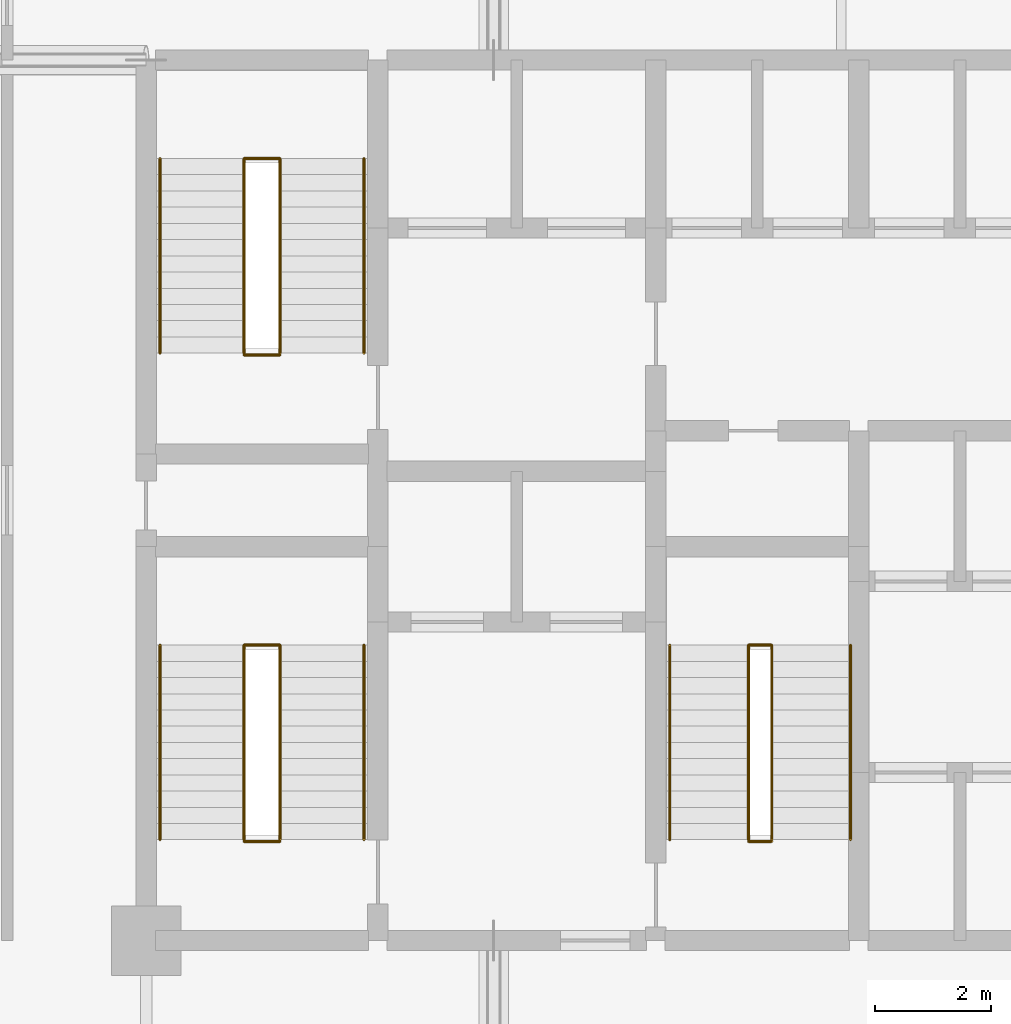
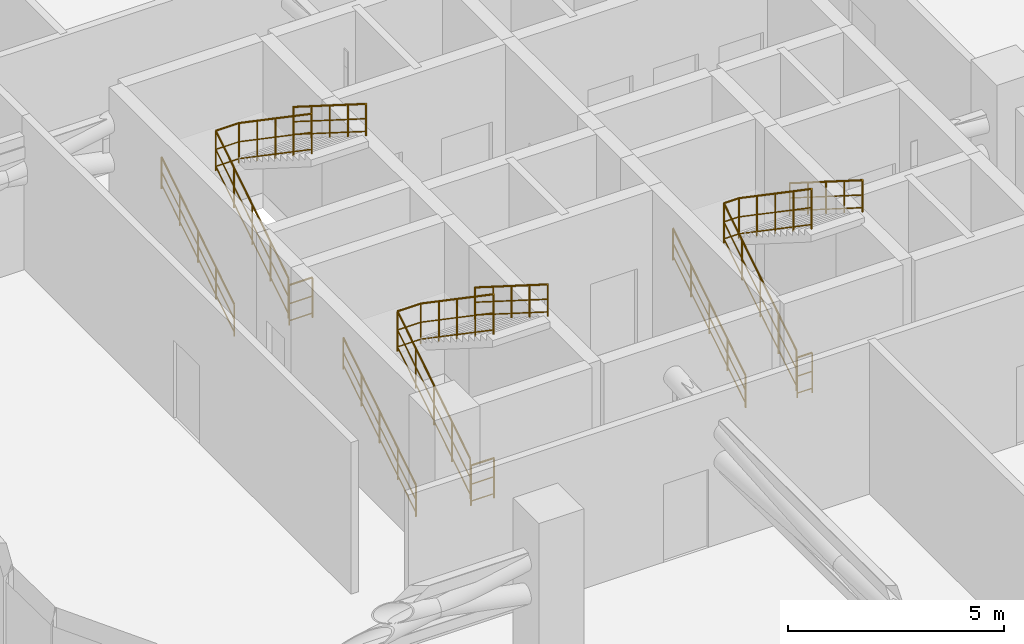
# One storey, part 9 of 9: 12 railings.
"""IFC4 building model written with IfcOpenShell, lengths in metres."""

import ifcopenshell
import ifcopenshell.guid

model = None  # the IFC model being written
_history = None  # IfcOwnerHistory: only IFC2X3 demands one
_inside = {}  # id of a spatial element -> (the spatial element, [elements in it])
_under = {}  # id of a project, library or spatial element -> (it, [spatial elements below it])
_declared = {}  # id of a project -> (the project, [libraries it declares])
_typed = {}  # id of a type object -> (the type object, [elements of that type])
_made_of = {}  # id of a material, layer set ... -> (it, [elements and type objects made of it])


def new_model(schema):
    """Start an empty IFC model of exactly this schema.

    Asked for "IFC4X3", IfcOpenShell would pick the latest addendum, in which some entities
    have other attributes; the version numbers below select the first issue.
    IFC2X3 requires an IfcOwnerHistory on every rooted entity: one is made here for all.
    """
    global model, _history
    if schema == "IFC4X3":
        model = ifcopenshell.file(schema_version=(4, 3, 0, 0))
    else:
        model = ifcopenshell.file(schema=schema)
    _inside.clear()
    _under.clear()
    _declared.clear()
    _typed.clear()
    _made_of.clear()
    _history = None
    if model.schema == "IFC2X3":
        org = make("IfcOrganization", Name="unknown")
        user = make(
            "IfcPersonAndOrganization",
            ThePerson=make("IfcPerson", FamilyName="unknown"),
            TheOrganization=org,
        )
        app = make(
            "IfcApplication",
            ApplicationDeveloper=org,
            Version="unknown",
            ApplicationFullName="unknown",
            ApplicationIdentifier="unknown",
        )
        _history = make(
            "IfcOwnerHistory",
            OwningUser=user,
            OwningApplication=app,
            ChangeAction="ADDED",
            CreationDate=0,
        )
    return model


def make(cls, **values):
    """One entity of the class cls with the attributes given. An attribute that is None is left unset."""
    return model.create_entity(
        cls, **{name: value for name, value in values.items() if value is not None}
    )


def rooted(cls, **values):
    """An entity with a GlobalId (a new one), such as an element, a storey or a relation."""
    return make(cls, GlobalId=ifcopenshell.guid.new(), OwnerHistory=_history, **values)


def si_unit(unit_type, name, prefix=None):
    """IfcSIUnit, for example si_unit("LENGTHUNIT", "METRE", prefix="MILLI")."""
    return make("IfcSIUnit", UnitType=unit_type, Prefix=prefix, Name=name)


def assignment(units):
    """IfcUnitAssignment: the units of a project."""
    return None if units is None else make("IfcUnitAssignment", Units=units)


def point(xyz):
    """IfcCartesianPoint."""
    return None if xyz is None else make("IfcCartesianPoint", Coordinates=xyz)


def direction(xyz):
    """IfcDirection."""
    return None if xyz is None else make("IfcDirection", DirectionRatios=xyz)


def frame(location, z_axis=None, x_axis=None):
    """IfcAxis2Placement3D, a coordinate frame: its origin and axes. An axis left out is left unset."""
    return make(
        "IfcAxis2Placement3D",
        Location=point(location),
        Axis=direction(z_axis),
        RefDirection=direction(x_axis),
    )


def frame_2d(location, x_axis=None):
    """IfcAxis2Placement2D, a coordinate frame in the plane: its origin and x axis."""
    return make(
        "IfcAxis2Placement2D", Location=point(location), RefDirection=direction(x_axis)
    )


def origin():
    """The frame at (0, 0, 0) with its axes left unset."""
    return frame((0.0, 0.0, 0.0))


def origin_2d():
    """The frame at (0, 0) in the plane with its x axis left unset."""
    return frame_2d((0.0, 0.0))


def place(relative_to, where):
    """IfcLocalPlacement: puts the frame where relative to a parent placement (None: the world)."""
    return make(
        "IfcLocalPlacement", PlacementRelTo=relative_to, RelativePlacement=where
    )


def context(
    kind, dimensions, precision=None, world=None, true_north=None, identifier=None
):
    """IfcGeometricRepresentationContext, for example the 3D "Model" context."""
    return make(
        "IfcGeometricRepresentationContext",
        ContextIdentifier=identifier,
        ContextType=kind,
        CoordinateSpaceDimension=dimensions,
        Precision=precision,
        WorldCoordinateSystem=world,
        TrueNorth=true_north,
    )


def subcontext(parent, identifier, kind, view, scale=None):
    """IfcGeometricRepresentationSubContext, for example "Body" below "Model"."""
    return make(
        "IfcGeometricRepresentationSubContext",
        ContextIdentifier=identifier,
        ContextType=kind,
        ParentContext=parent,
        TargetScale=scale,
        TargetView=view,
    )


def project(units=None, contexts=None):
    """IfcProject with its units and contexts."""
    return rooted(
        "IfcProject",
        Name="project",
        RepresentationContexts=contexts,
        UnitsInContext=assignment(units),
    )


def spatial(cls, under=None, at=None, **own):
    """A site, building, storey or space (cls), placed at a placement, below another one or the project."""
    s = rooted(cls, ObjectPlacement=at, **own)
    if under is not None:
        _under.setdefault(under.id(), (under, []))[1].append(s)
    return s


def profile(cls, at=None, kind="AREA", **sizes):
    """A parametric profile (cls). Its sizes go by their IFC names, for example OverallWidth=200.0."""
    return make(cls, ProfileType=kind, Position=at, **sizes)


def circle(**sizes):
    """IfcCircleProfileDef."""
    return profile("IfcCircleProfileDef", **sizes)


def extrude(swept, where, along, depth):
    """IfcExtrudedAreaSolid: the profile swept, set in the frame where, extruded along a direction by depth."""
    return make(
        "IfcExtrudedAreaSolid",
        SweptArea=swept,
        Position=where,
        ExtrudedDirection=direction(along),
        Depth=depth,
    )


def shape(context_of_items, identifier, shape_type, items):
    """IfcShapeRepresentation: the items that make up one representation, for example the "Body"."""
    return make(
        "IfcShapeRepresentation",
        ContextOfItems=context_of_items,
        RepresentationIdentifier=identifier,
        RepresentationType=shape_type,
        Items=items,
    )


def material(Name=None, Category=None):
    """IfcMaterial."""
    return make("IfcMaterial", Name=Name, Category=Category)


def layer(
    of_material, thickness, ventilated=None, Name=None, Category=None, Priority=None
):
    """IfcMaterialLayer: one layer of a wall or slab, of a material (None: an air gap)."""
    return make(
        "IfcMaterialLayer",
        Material=of_material,
        LayerThickness=thickness,
        IsVentilated=ventilated,
        Name=Name,
        Category=Category,
        Priority=Priority,
    )


def layer_set(layers, Name=None):
    """IfcMaterialLayerSet."""
    return make("IfcMaterialLayerSet", MaterialLayers=layers, LayerSetName=Name)


def made_of(thing, what):
    """Note that an element or type object is made of a material, layer set ...; save() writes the relation."""
    if what is not None:
        _made_of.setdefault(what.id(), (what, []))[1].append(thing)
    return thing


def type_object(cls, material=None, **own):
    """A type object (cls), such as IfcWallType, which elements share."""
    return made_of(rooted(cls, **own), material)


def element(
    cls,
    number,
    at=None,
    inside=None,
    cuts=None,
    type_object=None,
    material=None,
    context=None,
    identifier="Body",
    shape_type=None,
    held_by="IfcProductDefinitionShape",
    body=None,
    shapes=None,
    **own,
):
    """One element of the class cls, such as IfcWall. Its Tag is "e" and its number.

    at: its placement. inside: the storey or other place that contains it. cuts: it is an
    opening in that element (IfcRelVoidsElement). A single representation is given by context,
    identifier, shape_type and body (its items); several are given by shapes. held_by: the class
    of the entity that holds the representations. save() writes the other relations.
    """
    e = rooted(cls, Tag="e%d" % number, ObjectPlacement=at, **own)
    if body is not None:
        shapes = [shape(context, identifier, shape_type, body)]
    if shapes is not None:
        e.Representation = make(held_by, Representations=shapes)
    if inside is not None:
        _inside.setdefault(inside.id(), (inside, []))[1].append(e)
    if cuts is not None:
        rooted(
            "IfcRelVoidsElement", RelatingBuildingElement=cuts, RelatedOpeningElement=e
        )
    if type_object is not None:
        _typed.setdefault(type_object.id(), (type_object, []))[1].append(e)
    return made_of(e, material)


def aggregate(whole, parts):
    """IfcRelAggregates: a whole, such as a stair, and the parts it consists of."""
    return rooted("IfcRelAggregates", RelatingObject=whole, RelatedObjects=parts)


def save(model, path):
    """Write the relations noted so far, then the file.

    IfcRelAggregates (storeys below a building ...), IfcRelContainedInSpatialStructure (elements
    in a storey), IfcRelDefinesByType, IfcRelAssociatesMaterial and IfcRelDeclares: one each for
    every whole, place, type object, material and project.
    """
    for whole, parts in _under.values():
        aggregate(whole, parts)
    for where, things in _inside.values():
        rooted(
            "IfcRelContainedInSpatialStructure",
            RelatedElements=things,
            RelatingStructure=where,
        )
    for kind, things in _typed.values():
        rooted("IfcRelDefinesByType", RelatedObjects=things, RelatingType=kind)
    for what, things in _made_of.values():
        rooted("IfcRelAssociatesMaterial", RelatedObjects=things, RelatingMaterial=what)
    for by, libraries in _declared.values():
        rooted("IfcRelDeclares", RelatingContext=by, RelatedDefinitions=libraries)
    model.write(path)


model = new_model("IFC4")

# Units and contexts
model_context = context("Model", 3, precision=1e-05, world=origin(), true_north=direction((0.0, 1.0)))
body_context = subcontext(model_context, "Body", "Model", "MODEL_VIEW")
ifc_project = project(units=[si_unit("LENGTHUNIT", "METRE"), si_unit("AREAUNIT", "SQUARE_METRE"), si_unit("VOLUMEUNIT", "CUBIC_METRE"), si_unit("PLANEANGLEUNIT", "RADIAN"), si_unit("MASSUNIT", "GRAM", prefix="KILO")], contexts=[model_context])

# Site, building, storey
site_placement = place(None, origin())
site = spatial("IfcSite", under=ifc_project, at=site_placement, CompositionType="ELEMENT")
building_placement = place(site_placement, origin())
building = spatial("IfcBuilding", under=site, at=building_placement, Name="Keshet Zoharim Tower", CompositionType="ELEMENT")
storey_placement = place(building_placement, frame((0.0, 0.0, 61.0)))
storey = spatial("IfcBuildingStorey", under=building, at=storey_placement, Name="L14", CompositionType="ELEMENT", Elevation=61.0)

# Railings
ifc_material = material(Name="Steel S355", Category="steel")
ifc_layer_1 = layer(ifc_material, 0.050048828125)
ifc_layer_set_1 = layer_set([ifc_layer_1], Name="Steel S355")
railing_type_1 = type_object("IfcRailingType", Name="RL-HND-092", PredefinedType="HANDRAIL", material=ifc_layer_set_1)
railing_1_placement = place(storey_placement, frame((15.239990234375, 24.43994140625, 0.177001953125)))
element("IfcRailing", 1, at=railing_1_placement, inside=storey, type_object=railing_type_1, Name="L14 ST-01 Flight 1 Wall Handrail", PredefinedType="HANDRAIL", context=body_context, shape_type="SweptSolid", body=[
    extrude(circle(Radius=0.02392578125, at=origin_2d()), frame((0.0, 0.0, 0.89599609375), z_axis=(0.0, 0.845389635667, 0.534150132366), x_axis=(-1.0, 0.0, 0.0)), (0.0, 0.0, 1.0), 3.974609375),
    extrude(circle(Radius=0.01611328125, at=origin_2d()), frame((0.0, 0.0, 0.478271484375), z_axis=(0.0, 0.845389635667, 0.534150132366), x_axis=(-1.0, 0.0, 0.0)), (0.0, 0.0, 1.0), 3.974609375),
    extrude(circle(Radius=0.01611328125, at=origin_2d()), frame((0.0, 0.0, 0.1201171875), z_axis=(0.0, 0.845389635667, 0.534150132366), x_axis=(-1.0, 0.0, 0.0)), (0.0, 0.0, 1.0), 3.974609375),
    extrude(circle(Radius=0.02099609375, at=origin_2d()), origin(), (0.0, 0.0, 1.0), 0.871826171875),
    extrude(circle(Radius=0.02099609375, at=origin_2d()), frame((0.0, 0.840087890625, 0.53076171875)), (0.0, 0.0, 1.0), 0.871826171875),
    extrude(circle(Radius=0.02099609375, at=origin_2d()), frame((0.0, 1.68017578125, 1.0615234375)), (0.0, 0.0, 1.0), 0.871826171875),
    extrude(circle(Radius=0.02099609375, at=origin_2d()), frame((0.0, 2.52001953125, 1.59228515625)), (0.0, 0.0, 1.0), 0.871826171875),
    extrude(circle(Radius=0.02099609375, at=origin_2d()), frame((0.0, 3.360107421875, 2.123046875)), (0.0, 0.0, 1.0), 0.871826171875),
])
railing_2_placement = place(storey_placement, frame((18.760009765625, 27.800048828125, 2.476806640625)))
element("IfcRailing", 2, at=railing_2_placement, inside=storey, type_object=railing_type_1, Name="L14 ST-01 Flight 2 Wall Handrail", PredefinedType="HANDRAIL", context=body_context, shape_type="SweptSolid", body=[
    extrude(circle(Radius=0.02392578125, at=origin_2d()), frame((0.0, 0.0, 0.89599609375), z_axis=(0.0, -0.845361898145, 0.534194029511), x_axis=(1.0, 0.0, 0.0)), (0.0, 0.0, 1.0), 3.974853515625),
    extrude(circle(Radius=0.01611328125, at=origin_2d()), frame((0.0, 0.0, 0.478271484375), z_axis=(0.0, -0.845361898145, 0.534194029511), x_axis=(1.0, 0.0, 0.0)), (0.0, 0.0, 1.0), 3.974853515625),
    extrude(circle(Radius=0.01611328125, at=origin_2d()), frame((0.0, 0.0, 0.1201171875), z_axis=(0.0, -0.845361898145, 0.534194029511), x_axis=(1.0, 0.0, 0.0)), (0.0, 0.0, 1.0), 3.974853515625),
    extrude(circle(Radius=0.02099609375, at=origin_2d()), origin(), (0.0, 0.0, 1.0), 0.871826171875),
    extrude(circle(Radius=0.02099609375, at=origin_2d()), frame((0.0, -0.840087890625, 0.53076171875)), (0.0, 0.0, 1.0), 0.871826171875),
    extrude(circle(Radius=0.02099609375, at=origin_2d()), frame((0.0, -1.68017578125, 1.0615234375)), (0.0, 0.0, 1.0), 0.871826171875),
    extrude(circle(Radius=0.02099609375, at=origin_2d()), frame((0.0, -2.52001953125, 1.592529296875)), (0.0, 0.0, 1.0), 0.871826171875),
    extrude(circle(Radius=0.02099609375, at=origin_2d()), frame((0.0, -3.360107421875, 2.123291015625)), (0.0, 0.0, 1.0), 0.871826171875),
])
railing_3_placement = place(storey_placement, frame((15.239990234375, 32.840087890625, 0.177001953125)))
element("IfcRailing", 3, at=railing_3_placement, inside=storey, type_object=railing_type_1, Name="L14 ST-02 Flight 1 Wall Handrail", PredefinedType="HANDRAIL", context=body_context, shape_type="SweptSolid", body=[
    extrude(circle(Radius=0.02392578125, at=origin_2d()), frame((0.0, 0.0, 0.89599609375), z_axis=(0.0, 0.845372108799, 0.534177870812), x_axis=(-1.0, 0.0, 0.0)), (0.0, 0.0, 1.0), 3.974365234375),
    extrude(circle(Radius=0.01611328125, at=origin_2d()), frame((0.0, 0.0, 0.478271484375), z_axis=(0.0, 0.845372108799, 0.534177870812), x_axis=(-1.0, 0.0, 0.0)), (0.0, 0.0, 1.0), 3.974365234375),
    extrude(circle(Radius=0.01611328125, at=origin_2d()), frame((0.0, 0.0, 0.1201171875), z_axis=(0.0, 0.845372108799, 0.534177870812), x_axis=(-1.0, 0.0, 0.0)), (0.0, 0.0, 1.0), 3.974365234375),
    extrude(circle(Radius=0.02099609375, at=origin_2d()), origin(), (0.0, 0.0, 1.0), 0.871826171875),
    extrude(circle(Radius=0.02099609375, at=origin_2d()), frame((0.0, 0.83984375, 0.53076171875)), (0.0, 0.0, 1.0), 0.871826171875),
    extrude(circle(Radius=0.02099609375, at=origin_2d()), frame((0.0, 1.679931640625, 1.0615234375)), (0.0, 0.0, 1.0), 0.871826171875),
    extrude(circle(Radius=0.02099609375, at=origin_2d()), frame((0.0, 2.52001953125, 1.59228515625)), (0.0, 0.0, 1.0), 0.871826171875),
    extrude(circle(Radius=0.02099609375, at=origin_2d()), frame((0.0, 3.35986328125, 2.123046875)), (0.0, 0.0, 1.0), 0.871826171875),
])
railing_4_placement = place(storey_placement, frame((18.760009765625, 36.199951171875, 2.476806640625)))
element("IfcRailing", 4, at=railing_4_placement, inside=storey, type_object=railing_type_1, Name="L14 ST-02 Flight 2 Wall Handrail", PredefinedType="HANDRAIL", context=body_context, shape_type="SweptSolid", body=[
    extrude(circle(Radius=0.02392578125, at=origin_2d()), frame((0.0, 0.0, 0.89599609375), z_axis=(0.0, -0.845344368971, 0.534221768416), x_axis=(1.0, 0.0, 0.0)), (0.0, 0.0, 1.0), 3.974609375),
    extrude(circle(Radius=0.01611328125, at=origin_2d()), frame((0.0, 0.0, 0.478271484375), z_axis=(0.0, -0.845344368971, 0.534221768416), x_axis=(1.0, 0.0, 0.0)), (0.0, 0.0, 1.0), 3.974609375),
    extrude(circle(Radius=0.01611328125, at=origin_2d()), frame((0.0, 0.0, 0.1201171875), z_axis=(0.0, -0.845344368971, 0.534221768416), x_axis=(1.0, 0.0, 0.0)), (0.0, 0.0, 1.0), 3.974609375),
    extrude(circle(Radius=0.02099609375, at=origin_2d()), origin(), (0.0, 0.0, 1.0), 0.871826171875),
    extrude(circle(Radius=0.02099609375, at=origin_2d()), frame((0.0, -0.83984375, 0.53076171875)), (0.0, 0.0, 1.0), 0.871826171875),
    extrude(circle(Radius=0.02099609375, at=origin_2d()), frame((0.0, -1.679931640625, 1.0615234375)), (0.0, 0.0, 1.0), 0.871826171875),
    extrude(circle(Radius=0.02099609375, at=origin_2d()), frame((0.0, -2.52001953125, 1.592529296875)), (0.0, 0.0, 1.0), 0.871826171875),
    extrude(circle(Radius=0.02099609375, at=origin_2d()), frame((0.0, -3.35986328125, 2.123291015625)), (0.0, 0.0, 1.0), 0.871826171875),
])
railing_5_placement = place(storey_placement, frame((24.0400390625, 24.43994140625, 0.177001953125)))
element("IfcRailing", 5, at=railing_5_placement, inside=storey, type_object=railing_type_1, Name="L14 ST-03 Flight 1 Wall Handrail", PredefinedType="HANDRAIL", context=body_context, shape_type="SweptSolid", body=[
    extrude(circle(Radius=0.02392578125, at=origin_2d()), frame((0.0, 0.0, 0.89599609375), z_axis=(0.0, 0.845389635667, 0.534150132366), x_axis=(-1.0, 0.0, 0.0)), (0.0, 0.0, 1.0), 3.974609375),
    extrude(circle(Radius=0.01611328125, at=origin_2d()), frame((0.0, 0.0, 0.478271484375), z_axis=(0.0, 0.845389635667, 0.534150132366), x_axis=(-1.0, 0.0, 0.0)), (0.0, 0.0, 1.0), 3.974609375),
    extrude(circle(Radius=0.01611328125, at=origin_2d()), frame((0.0, 0.0, 0.1201171875), z_axis=(0.0, 0.845389635667, 0.534150132366), x_axis=(-1.0, 0.0, 0.0)), (0.0, 0.0, 1.0), 3.974609375),
    extrude(circle(Radius=0.02099609375, at=origin_2d()), origin(), (0.0, 0.0, 1.0), 0.871826171875),
    extrude(circle(Radius=0.02099609375, at=origin_2d()), frame((0.0, 0.840087890625, 0.53076171875)), (0.0, 0.0, 1.0), 0.871826171875),
    extrude(circle(Radius=0.02099609375, at=origin_2d()), frame((0.0, 1.68017578125, 1.0615234375)), (0.0, 0.0, 1.0), 0.871826171875),
    extrude(circle(Radius=0.02099609375, at=origin_2d()), frame((0.0, 2.52001953125, 1.59228515625)), (0.0, 0.0, 1.0), 0.871826171875),
    extrude(circle(Radius=0.02099609375, at=origin_2d()), frame((0.0, 3.360107421875, 2.123046875)), (0.0, 0.0, 1.0), 0.871826171875),
])
railing_6_placement = place(storey_placement, frame((27.159912109375, 27.800048828125, 2.476806640625)))
element("IfcRailing", 6, at=railing_6_placement, inside=storey, type_object=railing_type_1, Name="L14 ST-03 Flight 2 Wall Handrail", PredefinedType="HANDRAIL", context=body_context, shape_type="SweptSolid", body=[
    extrude(circle(Radius=0.02392578125, at=origin_2d()), frame((0.0, 0.0, 0.89599609375), z_axis=(0.0, -0.845361898145, 0.534194029511), x_axis=(1.0, 0.0, 0.0)), (0.0, 0.0, 1.0), 3.974853515625),
    extrude(circle(Radius=0.01611328125, at=origin_2d()), frame((0.0, 0.0, 0.478271484375), z_axis=(0.0, -0.845361898145, 0.534194029511), x_axis=(1.0, 0.0, 0.0)), (0.0, 0.0, 1.0), 3.974853515625),
    extrude(circle(Radius=0.01611328125, at=origin_2d()), frame((0.0, 0.0, 0.1201171875), z_axis=(0.0, -0.845361898145, 0.534194029511), x_axis=(1.0, 0.0, 0.0)), (0.0, 0.0, 1.0), 3.974853515625),
    extrude(circle(Radius=0.02099609375, at=origin_2d()), origin(), (0.0, 0.0, 1.0), 0.871826171875),
    extrude(circle(Radius=0.02099609375, at=origin_2d()), frame((0.0, -0.840087890625, 0.53076171875)), (0.0, 0.0, 1.0), 0.871826171875),
    extrude(circle(Radius=0.02099609375, at=origin_2d()), frame((0.0, -1.68017578125, 1.0615234375)), (0.0, 0.0, 1.0), 0.871826171875),
    extrude(circle(Radius=0.02099609375, at=origin_2d()), frame((0.0, -2.52001953125, 1.592529296875)), (0.0, 0.0, 1.0), 0.871826171875),
    extrude(circle(Radius=0.02099609375, at=origin_2d()), frame((0.0, -3.360107421875, 2.123291015625)), (0.0, 0.0, 1.0), 0.871826171875),
])
ifc_layer_2 = layer(ifc_material, 0.06005859375)
ifc_layer_set_2 = layer_set([ifc_layer_2], Name="Steel S355")
railing_type_2 = type_object("IfcRailingType", Name="RL-STG-115", PredefinedType="GUARDRAIL", material=ifc_layer_set_2)
railing_7_placement = place(storey_placement, frame((16.68994140625, 24.43994140625, 0.177001953125)))
element("IfcRailing", 7, at=railing_7_placement, inside=storey, type_object=railing_type_2, Name="L14 ST-01 Inner Well Guardrail", PredefinedType="GUARDRAIL", context=body_context, shape_type="SweptSolid", body=[
    extrude(circle(Radius=0.02392578125, at=origin_2d()), frame((0.0, 0.0, 1.1259765625), z_axis=(0.0, 0.845389635667, 0.534150132366), x_axis=(-1.0, 0.0, 0.0)), (0.0, 0.0, 1.0), 3.974609375),
    extrude(circle(Radius=0.01611328125, at=origin_2d()), frame((0.0, 0.0, 0.597900390625), z_axis=(0.0, 0.845389635667, 0.534150132366), x_axis=(-1.0, 0.0, 0.0)), (0.0, 0.0, 1.0), 3.974609375),
    extrude(circle(Radius=0.01611328125, at=origin_2d()), frame((0.0, 0.0, 0.1201171875), z_axis=(0.0, 0.845389635667, 0.534150132366), x_axis=(-1.0, 0.0, 0.0)), (0.0, 0.0, 1.0), 3.974609375),
    extrude(circle(Radius=0.02392578125, at=origin_2d()), frame((0.0, 3.360107421875, 3.2490234375), z_axis=(1.0, 0.0, 0.0), x_axis=(0.0, 1.0, 0.0)), (0.0, 0.0, 1.0), 0.6201171875),
    extrude(circle(Radius=0.01611328125, at=origin_2d()), frame((0.0, 3.360107421875, 2.720947265625), z_axis=(1.0, 0.0, 0.0), x_axis=(0.0, 1.0, 0.0)), (0.0, 0.0, 1.0), 0.6201171875),
    extrude(circle(Radius=0.01611328125, at=origin_2d()), frame((0.0, 3.360107421875, 2.2431640625), z_axis=(1.0, 0.0, 0.0), x_axis=(0.0, 1.0, 0.0)), (0.0, 0.0, 1.0), 0.6201171875),
    extrude(circle(Radius=0.02392578125, at=origin_2d()), frame((0.6201171875, 3.360107421875, 3.2490234375), z_axis=(0.0, -0.825189591665, 0.564855855778), x_axis=(1.0, 0.0, 0.0)), (0.0, 0.0, 1.0), 4.072021484375),
    extrude(circle(Radius=0.01611328125, at=origin_2d()), frame((0.6201171875, 3.360107421875, 2.720947265625), z_axis=(0.0, -0.825189591665, 0.564855855778), x_axis=(1.0, 0.0, 0.0)), (0.0, 0.0, 1.0), 4.072021484375),
    extrude(circle(Radius=0.01611328125, at=origin_2d()), frame((0.6201171875, 3.360107421875, 2.2431640625), z_axis=(0.0, -0.825189591665, 0.564855855778), x_axis=(1.0, 0.0, 0.0)), (0.0, 0.0, 1.0), 4.072021484375),
    extrude(circle(Radius=0.02099609375, at=origin_2d()), origin(), (0.0, 0.0, 1.0), 1.101806640625),
    extrude(circle(Radius=0.02099609375, at=origin_2d()), frame((0.0, 0.840087890625, 0.53076171875)), (0.0, 0.0, 1.0), 1.101806640625),
    extrude(circle(Radius=0.02099609375, at=origin_2d()), frame((0.0, 1.68017578125, 1.0615234375)), (0.0, 0.0, 1.0), 1.101806640625),
    extrude(circle(Radius=0.02099609375, at=origin_2d()), frame((0.0, 2.52001953125, 1.59228515625)), (0.0, 0.0, 1.0), 1.101806640625),
    extrude(circle(Radius=0.02099609375, at=origin_2d()), frame((0.0, 3.360107421875, 2.123046875)), (0.0, 0.0, 1.0), 1.101806640625),
    extrude(circle(Radius=0.02099609375, at=origin_2d()), frame((0.6201171875, 3.360107421875, 2.123046875)), (0.0, 0.0, 1.0), 1.101806640625),
    extrude(circle(Radius=0.02099609375, at=origin_2d()), frame((0.6201171875, 2.52001953125, 2.697998046875)), (0.0, 0.0, 1.0), 1.101806640625),
    extrude(circle(Radius=0.02099609375, at=origin_2d()), frame((0.6201171875, 1.68017578125, 3.27294921875)), (0.0, 0.0, 1.0), 1.101806640625),
    extrude(circle(Radius=0.02099609375, at=origin_2d()), frame((0.6201171875, 0.840087890625, 3.84814453125)), (0.0, 0.0, 1.0), 1.101806640625),
    extrude(circle(Radius=0.02099609375, at=origin_2d()), frame((0.6201171875, 0.0, 4.423095703125)), (0.0, 0.0, 1.0), 1.101806640625),
])
railing_8_placement = place(storey_placement, frame((16.68994140625, 24.409912109375, 0.0)))
element("IfcRailing", 8, at=railing_8_placement, inside=storey, type_object=railing_type_2, Name="L14 ST-01 Stairwell Floor Guardrail", PredefinedType="GUARDRAIL", context=body_context, shape_type="SweptSolid", body=[
    extrude(circle(Radius=0.02392578125, at=origin_2d()), frame((0.0, 0.0, 1.1259765625), z_axis=(1.0, 0.0, 0.0), x_axis=(0.0, 1.0, 0.0)), (0.0, 0.0, 1.0), 0.6201171875),
    extrude(circle(Radius=0.01611328125, at=origin_2d()), frame((0.0, 0.0, 0.597900390625), z_axis=(1.0, 0.0, 0.0), x_axis=(0.0, 1.0, 0.0)), (0.0, 0.0, 1.0), 0.6201171875),
    extrude(circle(Radius=0.01611328125, at=origin_2d()), frame((0.0, 0.0, 0.1201171875), z_axis=(1.0, 0.0, 0.0), x_axis=(0.0, 1.0, 0.0)), (0.0, 0.0, 1.0), 0.6201171875),
    extrude(circle(Radius=0.02099609375, at=origin_2d()), origin(), (0.0, 0.0, 1.0), 1.101806640625),
    extrude(circle(Radius=0.02099609375, at=origin_2d()), frame((0.6201171875, 0.0, 0.0)), (0.0, 0.0, 1.0), 1.101806640625),
])
railing_9_placement = place(storey_placement, frame((16.68994140625, 32.840087890625, 0.177001953125)))
element("IfcRailing", 9, at=railing_9_placement, inside=storey, type_object=railing_type_2, Name="L14 ST-02 Inner Well Guardrail", PredefinedType="GUARDRAIL", context=body_context, shape_type="SweptSolid", body=[
    extrude(circle(Radius=0.02392578125, at=origin_2d()), frame((0.0, 0.0, 1.1259765625), z_axis=(0.0, 0.845372108799, 0.534177870812), x_axis=(-1.0, 0.0, 0.0)), (0.0, 0.0, 1.0), 3.974365234375),
    extrude(circle(Radius=0.01611328125, at=origin_2d()), frame((0.0, 0.0, 0.597900390625), z_axis=(0.0, 0.845372108799, 0.534177870812), x_axis=(-1.0, 0.0, 0.0)), (0.0, 0.0, 1.0), 3.974365234375),
    extrude(circle(Radius=0.01611328125, at=origin_2d()), frame((0.0, 0.0, 0.1201171875), z_axis=(0.0, 0.845372108799, 0.534177870812), x_axis=(-1.0, 0.0, 0.0)), (0.0, 0.0, 1.0), 3.974365234375),
    extrude(circle(Radius=0.02392578125, at=origin_2d()), frame((0.0, 3.35986328125, 3.2490234375), z_axis=(1.0, 0.0, 0.0), x_axis=(0.0, 1.0, 0.0)), (0.0, 0.0, 1.0), 0.6201171875),
    extrude(circle(Radius=0.01611328125, at=origin_2d()), frame((0.0, 3.35986328125, 2.720947265625), z_axis=(1.0, 0.0, 0.0), x_axis=(0.0, 1.0, 0.0)), (0.0, 0.0, 1.0), 0.6201171875),
    extrude(circle(Radius=0.01611328125, at=origin_2d()), frame((0.0, 3.35986328125, 2.2431640625), z_axis=(1.0, 0.0, 0.0), x_axis=(0.0, 1.0, 0.0)), (0.0, 0.0, 1.0), 0.6201171875),
    extrude(circle(Radius=0.02392578125, at=origin_2d()), frame((0.6201171875, 3.35986328125, 3.2490234375), z_axis=(0.0, -0.825170460204, 0.564883803632), x_axis=(1.0, 0.0, 0.0)), (0.0, 0.0, 1.0), 4.07177734375),
    extrude(circle(Radius=0.01611328125, at=origin_2d()), frame((0.6201171875, 3.35986328125, 2.720947265625), z_axis=(0.0, -0.825170460204, 0.564883803632), x_axis=(1.0, 0.0, 0.0)), (0.0, 0.0, 1.0), 4.07177734375),
    extrude(circle(Radius=0.01611328125, at=origin_2d()), frame((0.6201171875, 3.35986328125, 2.2431640625), z_axis=(0.0, -0.825170460204, 0.564883803632), x_axis=(1.0, 0.0, 0.0)), (0.0, 0.0, 1.0), 4.07177734375),
    extrude(circle(Radius=0.02099609375, at=origin_2d()), origin(), (0.0, 0.0, 1.0), 1.101806640625),
    extrude(circle(Radius=0.02099609375, at=origin_2d()), frame((0.0, 0.83984375, 0.53076171875)), (0.0, 0.0, 1.0), 1.101806640625),
    extrude(circle(Radius=0.02099609375, at=origin_2d()), frame((0.0, 1.679931640625, 1.0615234375)), (0.0, 0.0, 1.0), 1.101806640625),
    extrude(circle(Radius=0.02099609375, at=origin_2d()), frame((0.0, 2.52001953125, 1.59228515625)), (0.0, 0.0, 1.0), 1.101806640625),
    extrude(circle(Radius=0.02099609375, at=origin_2d()), frame((0.0, 3.35986328125, 2.123046875)), (0.0, 0.0, 1.0), 1.101806640625),
    extrude(circle(Radius=0.02099609375, at=origin_2d()), frame((0.6201171875, 3.35986328125, 2.123046875)), (0.0, 0.0, 1.0), 1.101806640625),
    extrude(circle(Radius=0.02099609375, at=origin_2d()), frame((0.6201171875, 2.52001953125, 2.697998046875)), (0.0, 0.0, 1.0), 1.101806640625),
    extrude(circle(Radius=0.02099609375, at=origin_2d()), frame((0.6201171875, 1.679931640625, 3.27294921875)), (0.0, 0.0, 1.0), 1.101806640625),
    extrude(circle(Radius=0.02099609375, at=origin_2d()), frame((0.6201171875, 0.83984375, 3.84814453125)), (0.0, 0.0, 1.0), 1.101806640625),
    extrude(circle(Radius=0.02099609375, at=origin_2d()), frame((0.6201171875, 0.0, 4.423095703125)), (0.0, 0.0, 1.0), 1.101806640625),
])
railing_10_placement = place(storey_placement, frame((16.68994140625, 32.81005859375, 0.0)))
element("IfcRailing", 10, at=railing_10_placement, inside=storey, type_object=railing_type_2, Name="L14 ST-02 Stairwell Floor Guardrail", PredefinedType="GUARDRAIL", context=body_context, shape_type="SweptSolid", body=[
    extrude(circle(Radius=0.02392578125, at=origin_2d()), frame((0.0, 0.0, 1.1259765625), z_axis=(1.0, 0.0, 0.0), x_axis=(0.0, 1.0, 0.0)), (0.0, 0.0, 1.0), 0.6201171875),
    extrude(circle(Radius=0.01611328125, at=origin_2d()), frame((0.0, 0.0, 0.597900390625), z_axis=(1.0, 0.0, 0.0), x_axis=(0.0, 1.0, 0.0)), (0.0, 0.0, 1.0), 0.6201171875),
    extrude(circle(Radius=0.01611328125, at=origin_2d()), frame((0.0, 0.0, 0.1201171875), z_axis=(1.0, 0.0, 0.0), x_axis=(0.0, 1.0, 0.0)), (0.0, 0.0, 1.0), 0.6201171875),
    extrude(circle(Radius=0.02099609375, at=origin_2d()), origin(), (0.0, 0.0, 1.0), 1.101806640625),
    extrude(circle(Radius=0.02099609375, at=origin_2d()), frame((0.6201171875, 0.0, 0.0)), (0.0, 0.0, 1.0), 1.101806640625),
])
railing_11_placement = place(storey_placement, frame((25.39990234375, 24.43994140625, 0.177001953125)))
element("IfcRailing", 11, at=railing_11_placement, inside=storey, type_object=railing_type_2, Name="L14 ST-03 Inner Well Guardrail", PredefinedType="GUARDRAIL", context=body_context, shape_type="SweptSolid", body=[
    extrude(circle(Radius=0.02392578125, at=origin_2d()), frame((0.0, 0.0, 1.1259765625), z_axis=(0.0, 0.845389635667, 0.534150132366), x_axis=(-1.0, 0.0, 0.0)), (0.0, 0.0, 1.0), 3.974609375),
    extrude(circle(Radius=0.01611328125, at=origin_2d()), frame((0.0, 0.0, 0.597900390625), z_axis=(0.0, 0.845389635667, 0.534150132366), x_axis=(-1.0, 0.0, 0.0)), (0.0, 0.0, 1.0), 3.974609375),
    extrude(circle(Radius=0.01611328125, at=origin_2d()), frame((0.0, 0.0, 0.1201171875), z_axis=(0.0, 0.845389635667, 0.534150132366), x_axis=(-1.0, 0.0, 0.0)), (0.0, 0.0, 1.0), 3.974609375),
    extrude(circle(Radius=0.02392578125, at=origin_2d()), frame((0.0, 3.360107421875, 3.2490234375), z_axis=(1.0, 0.0, 0.0), x_axis=(0.0, 1.0, 0.0)), (0.0, 0.0, 1.0), 0.400146484375),
    extrude(circle(Radius=0.01611328125, at=origin_2d()), frame((0.0, 3.360107421875, 2.720947265625), z_axis=(1.0, 0.0, 0.0), x_axis=(0.0, 1.0, 0.0)), (0.0, 0.0, 1.0), 0.400146484375),
    extrude(circle(Radius=0.01611328125, at=origin_2d()), frame((0.0, 3.360107421875, 2.2431640625), z_axis=(1.0, 0.0, 0.0), x_axis=(0.0, 1.0, 0.0)), (0.0, 0.0, 1.0), 0.400146484375),
    extrude(circle(Radius=0.02392578125, at=origin_2d()), frame((0.400146484375, 3.360107421875, 3.2490234375), z_axis=(0.0, -0.825189591665, 0.564855855778), x_axis=(1.0, 0.0, 0.0)), (0.0, 0.0, 1.0), 4.072021484375),
    extrude(circle(Radius=0.01611328125, at=origin_2d()), frame((0.400146484375, 3.360107421875, 2.720947265625), z_axis=(0.0, -0.825189591665, 0.564855855778), x_axis=(1.0, 0.0, 0.0)), (0.0, 0.0, 1.0), 4.072021484375),
    extrude(circle(Radius=0.01611328125, at=origin_2d()), frame((0.400146484375, 3.360107421875, 2.2431640625), z_axis=(0.0, -0.825189591665, 0.564855855778), x_axis=(1.0, 0.0, 0.0)), (0.0, 0.0, 1.0), 4.072021484375),
    extrude(circle(Radius=0.02099609375, at=origin_2d()), origin(), (0.0, 0.0, 1.0), 1.101806640625),
    extrude(circle(Radius=0.02099609375, at=origin_2d()), frame((0.0, 0.840087890625, 0.53076171875)), (0.0, 0.0, 1.0), 1.101806640625),
    extrude(circle(Radius=0.02099609375, at=origin_2d()), frame((0.0, 1.68017578125, 1.0615234375)), (0.0, 0.0, 1.0), 1.101806640625),
    extrude(circle(Radius=0.02099609375, at=origin_2d()), frame((0.0, 2.52001953125, 1.59228515625)), (0.0, 0.0, 1.0), 1.101806640625),
    extrude(circle(Radius=0.02099609375, at=origin_2d()), frame((0.0, 3.360107421875, 2.123046875)), (0.0, 0.0, 1.0), 1.101806640625),
    extrude(circle(Radius=0.02099609375, at=origin_2d()), frame((0.400146484375, 3.360107421875, 2.123046875)), (0.0, 0.0, 1.0), 1.101806640625),
    extrude(circle(Radius=0.02099609375, at=origin_2d()), frame((0.400146484375, 2.52001953125, 2.697998046875)), (0.0, 0.0, 1.0), 1.101806640625),
    extrude(circle(Radius=0.02099609375, at=origin_2d()), frame((0.400146484375, 1.68017578125, 3.27294921875)), (0.0, 0.0, 1.0), 1.101806640625),
    extrude(circle(Radius=0.02099609375, at=origin_2d()), frame((0.400146484375, 0.840087890625, 3.84814453125)), (0.0, 0.0, 1.0), 1.101806640625),
    extrude(circle(Radius=0.02099609375, at=origin_2d()), frame((0.400146484375, 0.0, 4.423095703125)), (0.0, 0.0, 1.0), 1.101806640625),
])
railing_12_placement = place(storey_placement, frame((25.39990234375, 24.409912109375, 0.0)))
element("IfcRailing", 12, at=railing_12_placement, inside=storey, type_object=railing_type_2, Name="L14 ST-03 Stairwell Floor Guardrail", PredefinedType="GUARDRAIL", context=body_context, shape_type="SweptSolid", body=[
    extrude(circle(Radius=0.02392578125, at=origin_2d()), frame((0.0, 0.0, 1.1259765625), z_axis=(1.0, 0.0, 0.0), x_axis=(0.0, 1.0, 0.0)), (0.0, 0.0, 1.0), 0.400146484375),
    extrude(circle(Radius=0.01611328125, at=origin_2d()), frame((0.0, 0.0, 0.597900390625), z_axis=(1.0, 0.0, 0.0), x_axis=(0.0, 1.0, 0.0)), (0.0, 0.0, 1.0), 0.400146484375),
    extrude(circle(Radius=0.01611328125, at=origin_2d()), frame((0.0, 0.0, 0.1201171875), z_axis=(1.0, 0.0, 0.0), x_axis=(0.0, 1.0, 0.0)), (0.0, 0.0, 1.0), 0.400146484375),
    extrude(circle(Radius=0.02099609375, at=origin_2d()), origin(), (0.0, 0.0, 1.0), 1.101806640625),
    extrude(circle(Radius=0.02099609375, at=origin_2d()), frame((0.400146484375, 0.0, 0.0)), (0.0, 0.0, 1.0), 1.101806640625),
])

save(model, "model.ifc")
